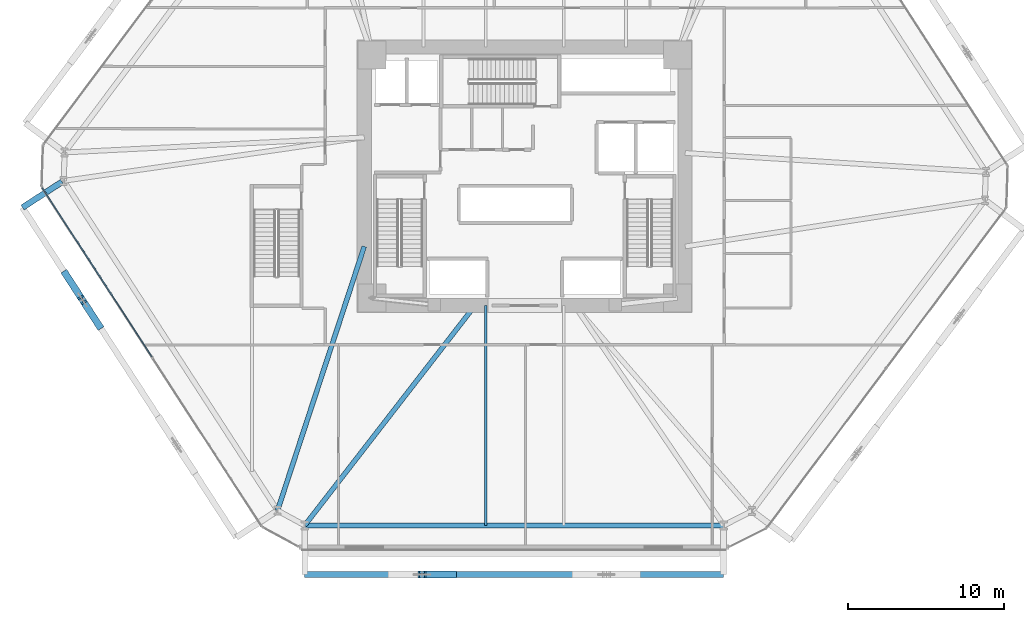
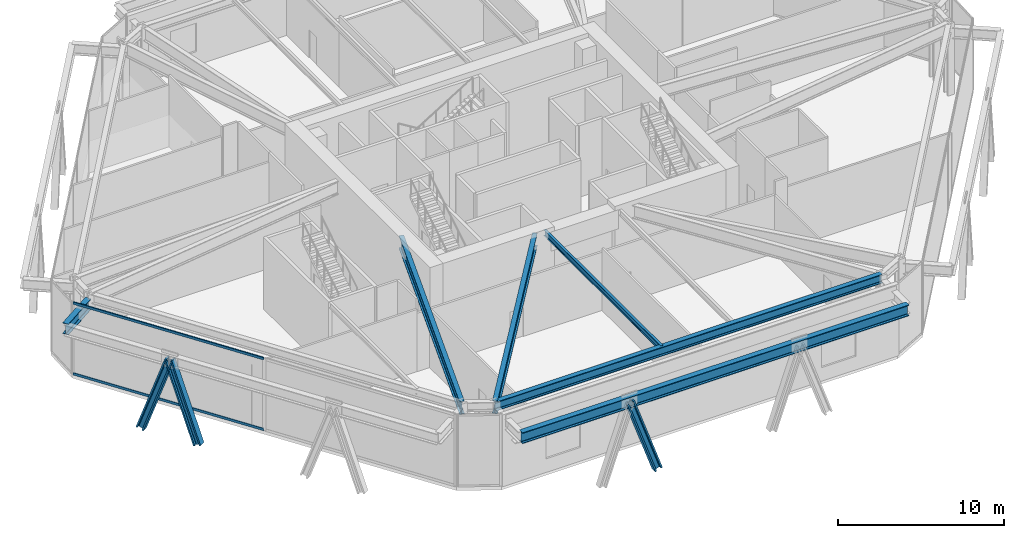
# One storey, part 3 of 23: 6 beams, 5 members, 1 element without a shape of its own.
"""IFC4 building model written with IfcOpenShell, lengths in metres."""

import ifcopenshell
import ifcopenshell.guid

model = None  # the IFC model being written
_history = None  # IfcOwnerHistory: only IFC2X3 demands one
_inside = {}  # id of a spatial element -> (the spatial element, [elements in it])
_under = {}  # id of a project, library or spatial element -> (it, [spatial elements below it])
_declared = {}  # id of a project -> (the project, [libraries it declares])
_typed = {}  # id of a type object -> (the type object, [elements of that type])
_made_of = {}  # id of a material, layer set ... -> (it, [elements and type objects made of it])


def new_model(schema):
    """Start an empty IFC model of exactly this schema.

    Asked for "IFC4X3", IfcOpenShell would pick the latest addendum, in which some entities
    have other attributes; the version numbers below select the first issue.
    IFC2X3 requires an IfcOwnerHistory on every rooted entity: one is made here for all.
    """
    global model, _history
    if schema == "IFC4X3":
        model = ifcopenshell.file(schema_version=(4, 3, 0, 0))
    else:
        model = ifcopenshell.file(schema=schema)
    _inside.clear()
    _under.clear()
    _declared.clear()
    _typed.clear()
    _made_of.clear()
    _history = None
    if model.schema == "IFC2X3":
        org = make("IfcOrganization", Name="unknown")
        user = make(
            "IfcPersonAndOrganization",
            ThePerson=make("IfcPerson", FamilyName="unknown"),
            TheOrganization=org,
        )
        app = make(
            "IfcApplication",
            ApplicationDeveloper=org,
            Version="unknown",
            ApplicationFullName="unknown",
            ApplicationIdentifier="unknown",
        )
        _history = make(
            "IfcOwnerHistory",
            OwningUser=user,
            OwningApplication=app,
            ChangeAction="ADDED",
            CreationDate=0,
        )
    return model


def make(cls, **values):
    """One entity of the class cls with the attributes given. An attribute that is None is left unset."""
    return model.create_entity(
        cls, **{name: value for name, value in values.items() if value is not None}
    )


def rooted(cls, **values):
    """An entity with a GlobalId (a new one), such as an element, a storey or a relation."""
    return make(cls, GlobalId=ifcopenshell.guid.new(), OwnerHistory=_history, **values)


def si_unit(unit_type, name, prefix=None):
    """IfcSIUnit, for example si_unit("LENGTHUNIT", "METRE", prefix="MILLI")."""
    return make("IfcSIUnit", UnitType=unit_type, Prefix=prefix, Name=name)


def assignment(units):
    """IfcUnitAssignment: the units of a project."""
    return None if units is None else make("IfcUnitAssignment", Units=units)


def point(xyz):
    """IfcCartesianPoint."""
    return None if xyz is None else make("IfcCartesianPoint", Coordinates=xyz)


def direction(xyz):
    """IfcDirection."""
    return None if xyz is None else make("IfcDirection", DirectionRatios=xyz)


def frame(location, z_axis=None, x_axis=None):
    """IfcAxis2Placement3D, a coordinate frame: its origin and axes. An axis left out is left unset."""
    return make(
        "IfcAxis2Placement3D",
        Location=point(location),
        Axis=direction(z_axis),
        RefDirection=direction(x_axis),
    )


def frame_2d(location, x_axis=None):
    """IfcAxis2Placement2D, a coordinate frame in the plane: its origin and x axis."""
    return make(
        "IfcAxis2Placement2D", Location=point(location), RefDirection=direction(x_axis)
    )


def origin():
    """The frame at (0, 0, 0) with its axes left unset."""
    return frame((0.0, 0.0, 0.0))


def origin_2d():
    """The frame at (0, 0) in the plane with its x axis left unset."""
    return frame_2d((0.0, 0.0))


def place(relative_to, where):
    """IfcLocalPlacement: puts the frame where relative to a parent placement (None: the world)."""
    return make(
        "IfcLocalPlacement", PlacementRelTo=relative_to, RelativePlacement=where
    )


def context(
    kind, dimensions, precision=None, world=None, true_north=None, identifier=None
):
    """IfcGeometricRepresentationContext, for example the 3D "Model" context."""
    return make(
        "IfcGeometricRepresentationContext",
        ContextIdentifier=identifier,
        ContextType=kind,
        CoordinateSpaceDimension=dimensions,
        Precision=precision,
        WorldCoordinateSystem=world,
        TrueNorth=true_north,
    )


def subcontext(parent, identifier, kind, view, scale=None):
    """IfcGeometricRepresentationSubContext, for example "Body" below "Model"."""
    return make(
        "IfcGeometricRepresentationSubContext",
        ContextIdentifier=identifier,
        ContextType=kind,
        ParentContext=parent,
        TargetScale=scale,
        TargetView=view,
    )


def project(units=None, contexts=None):
    """IfcProject with its units and contexts."""
    return rooted(
        "IfcProject",
        Name="project",
        RepresentationContexts=contexts,
        UnitsInContext=assignment(units),
    )


def spatial(cls, under=None, at=None, **own):
    """A site, building, storey or space (cls), placed at a placement, below another one or the project."""
    s = rooted(cls, ObjectPlacement=at, **own)
    if under is not None:
        _under.setdefault(under.id(), (under, []))[1].append(s)
    return s


def profile(cls, at=None, kind="AREA", **sizes):
    """A parametric profile (cls). Its sizes go by their IFC names, for example OverallWidth=200.0."""
    return make(cls, ProfileType=kind, Position=at, **sizes)


def rectangle(**sizes):
    """IfcRectangleProfileDef."""
    return profile("IfcRectangleProfileDef", **sizes)


def i_section(**sizes):
    """IfcIShapeProfileDef."""
    return profile("IfcIShapeProfileDef", **sizes)


def extrude(swept, where, along, depth):
    """IfcExtrudedAreaSolid: the profile swept, set in the frame where, extruded along a direction by depth."""
    return make(
        "IfcExtrudedAreaSolid",
        SweptArea=swept,
        Position=where,
        ExtrudedDirection=direction(along),
        Depth=depth,
    )


def shape(context_of_items, identifier, shape_type, items):
    """IfcShapeRepresentation: the items that make up one representation, for example the "Body"."""
    return make(
        "IfcShapeRepresentation",
        ContextOfItems=context_of_items,
        RepresentationIdentifier=identifier,
        RepresentationType=shape_type,
        Items=items,
    )


def source(mapping_origin, context_of_items, identifier, shape_type, items):
    """IfcRepresentationMap: a shape defined once, which mapped items show again and again."""
    return make(
        "IfcRepresentationMap",
        MappingOrigin=mapping_origin,
        MappedRepresentation=shape(context_of_items, identifier, shape_type, items),
    )


def transform(
    local_origin,
    x_axis=None,
    y_axis=None,
    z_axis=None,
    scale=None,
    scale2=None,
    scale3=None,
    uniform=True,
):
    """IfcCartesianTransformationOperator3D, or its non-uniform kind. x_axis, y_axis, z_axis: its Axis1, 2, 3."""
    if uniform:
        return make(
            "IfcCartesianTransformationOperator3D",
            Axis1=direction(x_axis),
            Axis2=direction(y_axis),
            LocalOrigin=point(local_origin),
            Scale=scale,
            Axis3=direction(z_axis),
        )
    return make(
        "IfcCartesianTransformationOperator3DnonUniform",
        Axis1=direction(x_axis),
        Axis2=direction(y_axis),
        LocalOrigin=point(local_origin),
        Scale=scale,
        Axis3=direction(z_axis),
        Scale2=scale2,
        Scale3=scale3,
    )


def mapped(mapping_source, mapping_target):
    """IfcMappedItem: shows the shape of a source again, moved by a transform."""
    return make(
        "IfcMappedItem", MappingSource=mapping_source, MappingTarget=mapping_target
    )


def material(Name=None, Category=None):
    """IfcMaterial."""
    return make("IfcMaterial", Name=Name, Category=Category)


def layer(
    of_material, thickness, ventilated=None, Name=None, Category=None, Priority=None
):
    """IfcMaterialLayer: one layer of a wall or slab, of a material (None: an air gap)."""
    return make(
        "IfcMaterialLayer",
        Material=of_material,
        LayerThickness=thickness,
        IsVentilated=ventilated,
        Name=Name,
        Category=Category,
        Priority=Priority,
    )


def layer_set(layers, Name=None):
    """IfcMaterialLayerSet."""
    return make("IfcMaterialLayerSet", MaterialLayers=layers, LayerSetName=Name)


def material_profile(
    of_material, cross_section, Name=None, Category=None, Priority=None
):
    """IfcMaterialProfile: a cross section and its material."""
    return make(
        "IfcMaterialProfile",
        Name=Name,
        Material=of_material,
        Profile=cross_section,
        Priority=Priority,
        Category=Category,
    )


def profile_set(profiles, Name=None, composite=None):
    """IfcMaterialProfileSet."""
    return make(
        "IfcMaterialProfileSet",
        Name=Name,
        MaterialProfiles=profiles,
        CompositeProfile=composite,
    )


def made_of(thing, what):
    """Note that an element or type object is made of a material, layer set ...; save() writes the relation."""
    if what is not None:
        _made_of.setdefault(what.id(), (what, []))[1].append(thing)
    return thing


def type_object(cls, material=None, **own):
    """A type object (cls), such as IfcWallType, which elements share."""
    return made_of(rooted(cls, **own), material)


def type_shapes(of_type, sources):
    """Give a type object the sources (RepresentationMaps) that its elements show as mapped items."""
    of_type.RepresentationMaps = sources


def element(
    cls,
    number,
    at=None,
    inside=None,
    cuts=None,
    type_object=None,
    material=None,
    context=None,
    identifier="Body",
    shape_type=None,
    held_by="IfcProductDefinitionShape",
    body=None,
    shapes=None,
    **own,
):
    """One element of the class cls, such as IfcWall. Its Tag is "e" and its number.

    at: its placement. inside: the storey or other place that contains it. cuts: it is an
    opening in that element (IfcRelVoidsElement). A single representation is given by context,
    identifier, shape_type and body (its items); several are given by shapes. held_by: the class
    of the entity that holds the representations. save() writes the other relations.
    """
    e = rooted(cls, Tag="e%d" % number, ObjectPlacement=at, **own)
    if body is not None:
        shapes = [shape(context, identifier, shape_type, body)]
    if shapes is not None:
        e.Representation = make(held_by, Representations=shapes)
    if inside is not None:
        _inside.setdefault(inside.id(), (inside, []))[1].append(e)
    if cuts is not None:
        rooted(
            "IfcRelVoidsElement", RelatingBuildingElement=cuts, RelatedOpeningElement=e
        )
    if type_object is not None:
        _typed.setdefault(type_object.id(), (type_object, []))[1].append(e)
    return made_of(e, material)


def aggregate(whole, parts):
    """IfcRelAggregates: a whole, such as a stair, and the parts it consists of."""
    return rooted("IfcRelAggregates", RelatingObject=whole, RelatedObjects=parts)


def save(model, path):
    """Write the relations noted so far, then the file.

    IfcRelAggregates (storeys below a building ...), IfcRelContainedInSpatialStructure (elements
    in a storey), IfcRelDefinesByType, IfcRelAssociatesMaterial and IfcRelDeclares: one each for
    every whole, place, type object, material and project.
    """
    for whole, parts in _under.values():
        aggregate(whole, parts)
    for where, things in _inside.values():
        rooted(
            "IfcRelContainedInSpatialStructure",
            RelatedElements=things,
            RelatingStructure=where,
        )
    for kind, things in _typed.values():
        rooted("IfcRelDefinesByType", RelatedObjects=things, RelatingType=kind)
    for what, things in _made_of.values():
        rooted("IfcRelAssociatesMaterial", RelatedObjects=things, RelatingMaterial=what)
    for by, libraries in _declared.values():
        rooted("IfcRelDeclares", RelatingContext=by, RelatedDefinitions=libraries)
    model.write(path)


model = new_model("IFC4")

# Units and contexts
model_context = context("Model", 3, precision=1e-05, world=origin(), true_north=direction((0.0, 1.0)))
body_context = subcontext(model_context, "Body", "Model", "MODEL_VIEW")
ifc_project = project(units=[si_unit("LENGTHUNIT", "METRE"), si_unit("AREAUNIT", "SQUARE_METRE"), si_unit("VOLUMEUNIT", "CUBIC_METRE"), si_unit("PLANEANGLEUNIT", "RADIAN"), si_unit("MASSUNIT", "GRAM", prefix="KILO")], contexts=[model_context])

# Site, building, storey
site_placement = place(None, origin())
site = spatial("IfcSite", under=ifc_project, at=site_placement, CompositionType="ELEMENT")
building_placement = place(site_placement, origin())
building = spatial("IfcBuilding", under=site, at=building_placement, Name="Durnholm Broadcast Tower", CompositionType="ELEMENT")
storey_placement = place(building_placement, frame((0.0, 0.0, 21.199951171875)))
storey = spatial("IfcBuildingStorey", under=building, at=storey_placement, Name="L04", CompositionType="ELEMENT", Elevation=21.199951171875)

# Beams
ifc_material_1 = material(Name="Steel ASTM A992 Grade 50", Category="steel")
ifc_material_profile_1 = material_profile(ifc_material_1, i_section(OverallWidth=0.3330078125, OverallDepth=0.660888671875, WebThickness=0.0244140625, FlangeThickness=0.0439453125, FilletRadius=0.02783203125, at=origin_2d()), Name="W24X229")
ifc_profile_set_1 = profile_set([ifc_material_profile_1], Name="Steel ASTM A992 Grade 50")
beam_type_1 = type_object("IfcBeamType", Name="STL-SP-W24X229", PredefinedType="SPANDREL", material=ifc_profile_set_1)
shared_shape_1 = source(origin(), body_context, "Body", "SweptSolid", [
    extrude(i_section(OverallWidth=0.3330078125, OverallDepth=0.660888671875, WebThickness=0.0244140625, FlangeThickness=0.0439453125, FilletRadius=0.02783203125, at=origin_2d()), origin(), (0.0, 0.0, 1.0), 26.891357421875),
])
type_shapes(beam_type_1, [shared_shape_1])
beam_1_placement = place(storey_placement, frame((12.77197265625, -22.39990234375, 4.9345703125), z_axis=(-1.0, 0.0, 0.0), x_axis=(0.0, -1.0, 0.0)))
element("IfcBeam", 1, at=beam_1_placement, inside=storey, type_object=beam_type_1, Name="L04 perimeter spandrel girder 11", PredefinedType="SPANDREL", context=body_context, shape_type="MappedRepresentation", body=[
    mapped(shared_shape_1, transform((0.0, 0.0, 0.0), x_axis=(1.0, 0.0, 0.0), y_axis=(0.0, 1.0, 0.0), z_axis=(0.0, 0.0, 1.0), scale=1.0)),
])
ifc_material_profile_2 = material_profile(ifc_material_1, i_section(OverallWidth=0.180908203125, OverallDepth=0.417236328125, WebThickness=0.010986328125, FlangeThickness=0.018310546875, FilletRadius=0.01904296875, at=origin_2d()), Name="W16X57")
ifc_profile_set_2 = profile_set([ifc_material_profile_2], Name="Steel ASTM A992 Grade 50")
beam_type_2 = type_object("IfcBeamType", Name="STL-BJ-W16X57", PredefinedType="JOIST", material=ifc_profile_set_2)
shared_shape_2 = source(origin(), body_context, "Body", "SweptSolid", [
    extrude(i_section(OverallWidth=0.180908203125, OverallDepth=0.417236328125, WebThickness=0.010986328125, FlangeThickness=0.018310546875, FilletRadius=0.01904296875, at=origin_2d()), origin(), (0.0, 0.0, 1.0), 14.099853515625),
])
type_shapes(beam_type_2, [shared_shape_2])
beam_2_placement = place(storey_placement, frame((-2.5, -22.39990234375, 5.056396484375), z_axis=(0.0, 1.0, 0.0), x_axis=(-1.0, 0.0, 0.0)))
element("IfcBeam", 2, at=beam_2_placement, inside=storey, type_object=beam_type_2, Name="L04 secondary floor joist 5.1", PredefinedType="JOIST", context=body_context, shape_type="MappedRepresentation", body=[
    mapped(shared_shape_2, transform((0.0, 0.0, 0.0), x_axis=(1.0, 0.0, 0.0), y_axis=(0.0, 1.0, 0.0), z_axis=(0.0, 0.0, 1.0), scale=1.0)),
])
ifc_material_profile_3 = material_profile(ifc_material_1, i_section(OverallWidth=0.385009765625, OverallDepth=0.802978515625, WebThickness=0.023681640625, FlangeThickness=0.0419921875, FilletRadius=0.032958984375, at=origin_2d()), Name="W30X261")
ifc_profile_set_3 = profile_set([ifc_material_profile_3], Name="Steel ASTM A992 Grade 50")
beam_type_3 = type_object("IfcBeamType", Name="BM-EXO-TIE", PredefinedType="USERDEFINED", material=ifc_profile_set_3)
shared_shape_3 = source(origin(), body_context, "Body", "SweptSolid", [
    extrude(i_section(OverallWidth=0.385009765625, OverallDepth=0.802978515625, WebThickness=0.023681640625, FlangeThickness=0.0419921875, FilletRadius=0.032958984375, at=origin_2d()), origin(), (0.0, 0.0, 1.0), 26.891357421875),
])
beam_3_placement = place(storey_placement, frame((-14.119384765625, -25.550048828125, 4.528564453125), z_axis=(1.0, 0.0, 0.0), x_axis=(0.0, 1.0, 0.0)))
element("IfcBeam", 3, at=beam_3_placement, inside=storey, type_object=beam_type_3, Name="L04 exoskeleton collector spandrel F1", PredefinedType="SPANDREL", context=body_context, shape_type="MappedRepresentation", body=[
    mapped(shared_shape_3, transform((0.0, 0.0, 0.0), x_axis=(1.0, 0.0, 0.0), y_axis=(0.0, 1.0, 0.0), z_axis=(0.0, 0.0, 1.0), scale=1.0)),
])
shared_shape_4 = source(origin(), body_context, "Body", "SweptSolid", [
    extrude(i_section(OverallWidth=0.385009765625, OverallDepth=0.802978515625, WebThickness=0.023681640625, FlangeThickness=0.0419921875, FilletRadius=0.032958984375, at=origin_2d()), origin(), (0.0, 0.0, 1.0), 3.02392578125),
])
type_shapes(beam_type_3, [shared_shape_3, shared_shape_4])
beam_4_placement = place(storey_placement, frame((-29.6962890625, -0.357177734375, 4.528564453125), z_axis=(-0.838989179675, -0.544148101521, 0.0), x_axis=(0.544148101521, -0.838989179675, 0.0)))
element("IfcBeam", 4, at=beam_4_placement, inside=storey, type_object=beam_type_3, Name="L04 exoskeleton stand-off tie bracket F6.1", ObjectType="GIRDER", PredefinedType="USERDEFINED", context=body_context, shape_type="MappedRepresentation", body=[
    mapped(shared_shape_4, transform((0.0, 0.0, 0.0), x_axis=(1.0, 0.0, 0.0), y_axis=(0.0, 1.0, 0.0), z_axis=(0.0, 0.0, 1.0), scale=1.0)),
])
ifc_material_profile_4 = material_profile(ifc_material_1, i_section(OverallWidth=0.310302734375, OverallDepth=0.950439453125, WebThickness=0.0244140625, FlangeThickness=0.0439453125, FilletRadius=0.0380859375, at=origin_2d()), Name="W36X256")
ifc_profile_set_4 = profile_set([ifc_material_profile_4], Name="Steel ASTM A992 Grade 50")
beam_type_4 = type_object("IfcBeamType", Name="STL-GR-W36X256", PredefinedType="USERDEFINED", material=ifc_profile_set_4)
shared_shape_5 = source(origin(), body_context, "Body", "SweptSolid", [
    extrude(i_section(OverallWidth=0.310302734375, OverallDepth=0.950439453125, WebThickness=0.0244140625, FlangeThickness=0.0439453125, FilletRadius=0.0380859375, at=origin_2d()), origin(), (0.0, 0.0, 1.0), 17.84130859375),
])
beam_5_placement = place(storey_placement, frame((-10.300048828125, -4.5, 4.789794921875), z_axis=(-0.311996254667, -0.950083331647, 0.0), x_axis=(0.950083331647, -0.311996254667, 0.0)))
element("IfcBeam", 5, at=beam_5_placement, inside=storey, type_object=beam_type_4, Name="L04 radial primary floor girder 01", ObjectType="GIRDER", PredefinedType="USERDEFINED", context=body_context, shape_type="MappedRepresentation", body=[
    mapped(shared_shape_5, transform((0.0, 0.0, 0.0), x_axis=(1.0, 0.0, 0.0), y_axis=(0.0, 1.0, 0.0), z_axis=(0.0, 0.0, 1.0), scale=1.0)),
])
shared_shape_6 = source(origin(), body_context, "Body", "SweptSolid", [
    extrude(i_section(OverallWidth=0.310302734375, OverallDepth=0.950439453125, WebThickness=0.0244140625, FlangeThickness=0.0439453125, FilletRadius=0.0380859375, at=origin_2d()), origin(), (0.0, 0.0, 1.0), 17.833740234375),
])
type_shapes(beam_type_4, [shared_shape_5, shared_shape_6])
beam_6_placement = place(storey_placement, frame((-3.199951171875, -8.300048828125, 4.789794921875), z_axis=(-0.612293019064, -0.790630924519, 0.0), x_axis=(0.790630924519, -0.612293019064, 0.0)))
element("IfcBeam", 6, at=beam_6_placement, inside=storey, type_object=beam_type_4, Name="L04 radial primary floor girder 12", ObjectType="GIRDER", PredefinedType="USERDEFINED", context=body_context, shape_type="MappedRepresentation", body=[
    mapped(shared_shape_6, transform((0.0, 0.0, 0.0), x_axis=(1.0, 0.0, 0.0), y_axis=(0.0, 1.0, 0.0), z_axis=(0.0, 0.0, 1.0), scale=1.0)),
])

# Members
ifc_material_2 = material(Name="Steel ASTM A913 Grade 65", Category="steel")
ifc_material_profile_5 = material_profile(ifc_material_2, i_section(OverallWidth=0.44189453125, OverallDepth=0.531494140625, WebThickness=0.06591796875, FlangeThickness=0.105712890625, FilletRadius=0.030517578125, at=origin_2d()), Name="W14X605")
ifc_profile_set_5 = profile_set([ifc_material_profile_5], Name="Steel ASTM A913 Grade 65")
member_type_1 = type_object("IfcMemberType", Name="STL-DG-W14X605", PredefinedType="BRACE", material=ifc_profile_set_5)
shared_shape_7 = source(origin(), body_context, "Body", "SweptSolid", [
    extrude(i_section(OverallWidth=0.44189453125, OverallDepth=0.531494140625, WebThickness=0.06591796875, FlangeThickness=0.105712890625, FilletRadius=0.030517578125, at=origin_2d()), origin(), (0.0, 0.0, 1.0), 5.927978515625),
])
type_shapes(member_type_1, [shared_shape_7])
for number, where, z_axis, x_axis, name in (
    (7, (-4.6455078125, -25.550048828125, -1.071533203125), (-0.327990249611, 0.0, 0.944681108184), (0.0, -1.0, 0.0), "L04 stand-off diagrid brace F1.D1.2"),
    (8, (-29.448486328125, -6.296630859375, -1.071533203125), (0.178450941475, -0.27519252041, 0.944682136063), (0.839034101522, 0.544078832968, 0.0), "L04 stand-off diagrid brace F6.D1.1"),
    (9, (-27.332763671875, -9.55908203125, -1.071533203125), (-0.178452963845, 0.275154454523, 0.944692842066), (-0.838996925284, -0.544136158847, 0.0), "L04 stand-off diagrid brace F6.D1.2"),
):
    element("IfcMember", number, at=place(storey_placement, frame(where, z_axis=z_axis, x_axis=x_axis)), inside=storey, type_object=member_type_1, Name=name, PredefinedType="BRACE", context=body_context, shape_type="MappedRepresentation", body=[
        mapped(shared_shape_7, transform((0.0, 0.0, 0.0), x_axis=(1.0, 0.0, 0.0), y_axis=(0.0, 1.0, 0.0), z_axis=(0.0, 0.0, 1.0), scale=1.0)),
    ])

# Curtain wall, members
ifc_material_3 = material(Name="Aluminium and Solar Control IGU", Category="aluminium")
ifc_layer = layer(ifc_material_3, 0.219970703125)
ifc_layer_set = layer_set([ifc_layer], Name="Aluminium and Solar Control IGU")
curtain_wall_type = type_object("IfcCurtainWallType", Name="CW-SYS-2", PredefinedType="NOTDEFINED", material=ifc_layer_set)
curtain_wall_placement = place(storey_placement, origin())
curtain_wall = element("IfcCurtainWall", 10, at=curtain_wall_placement, inside=storey, type_object=curtain_wall_type, Name="L04 curtain wall CW-STUDIO CW-L04-F12", PredefinedType="NOTDEFINED")
ifc_material_4 = material(Name="Aluminium 6063-T6", Category="aluminium")
ifc_material_profile_6 = material_profile(ifc_material_4, rectangle(XDim=0.074951171875, YDim=0.179931640625, at=origin_2d()), Name="CWT75X180")
ifc_profile_set_6 = profile_set([ifc_material_profile_6], Name="Aluminium 6063-T6")
member_type_2 = type_object("IfcMemberType", Name="CW-SYS-2-TRN", PredefinedType="USERDEFINED", material=ifc_profile_set_6)
shared_shape_8 = source(origin(), body_context, "Body", "SweptSolid", [
    extrude(rectangle(XDim=0.074951171875, YDim=0.179931640625, at=origin_2d()), origin(), (0.0, 0.0, 1.0), 12.896728515625),
])
type_shapes(member_type_2, [shared_shape_8])
member_1_placement = place(storey_placement, frame((-23.9462890625, -11.564697265625, 0.03759765625), z_axis=(-0.544114398501, 0.839011037677, 0.0), x_axis=(-0.839011037677, -0.544114398501, 0.0)))
member_1 = element("IfcMember", 11, at=member_1_placement, type_object=member_type_2, Name="CW-STUDIO transom 2.1", ObjectType="TRANSOM", PredefinedType="USERDEFINED", context=body_context, shape_type="MappedRepresentation", body=[
    mapped(shared_shape_8, transform((0.0, 0.0, 0.0), x_axis=(1.0, 0.0, 0.0), y_axis=(0.0, 1.0, 0.0), z_axis=(0.0, 0.0, 1.0), scale=1.0)),
])
member_2_placement = place(storey_placement, frame((-23.9462890625, -11.564697265625, 5.242431640625), z_axis=(-0.544114398501, 0.839011037677, 0.0), x_axis=(-0.839011037677, -0.544114398501, 0.0)))
member_2 = element("IfcMember", 12, at=member_2_placement, type_object=member_type_2, Name="CW-STUDIO transom 2.2", ObjectType="TRANSOM", PredefinedType="USERDEFINED", context=body_context, shape_type="MappedRepresentation", body=[
    mapped(shared_shape_8, transform((0.0, 0.0, 0.0), x_axis=(1.0, 0.0, 0.0), y_axis=(0.0, 1.0, 0.0), z_axis=(0.0, 0.0, 1.0), scale=1.0)),
])
aggregate(curtain_wall, [member_1, member_2])

save(model, "model.ifc")
